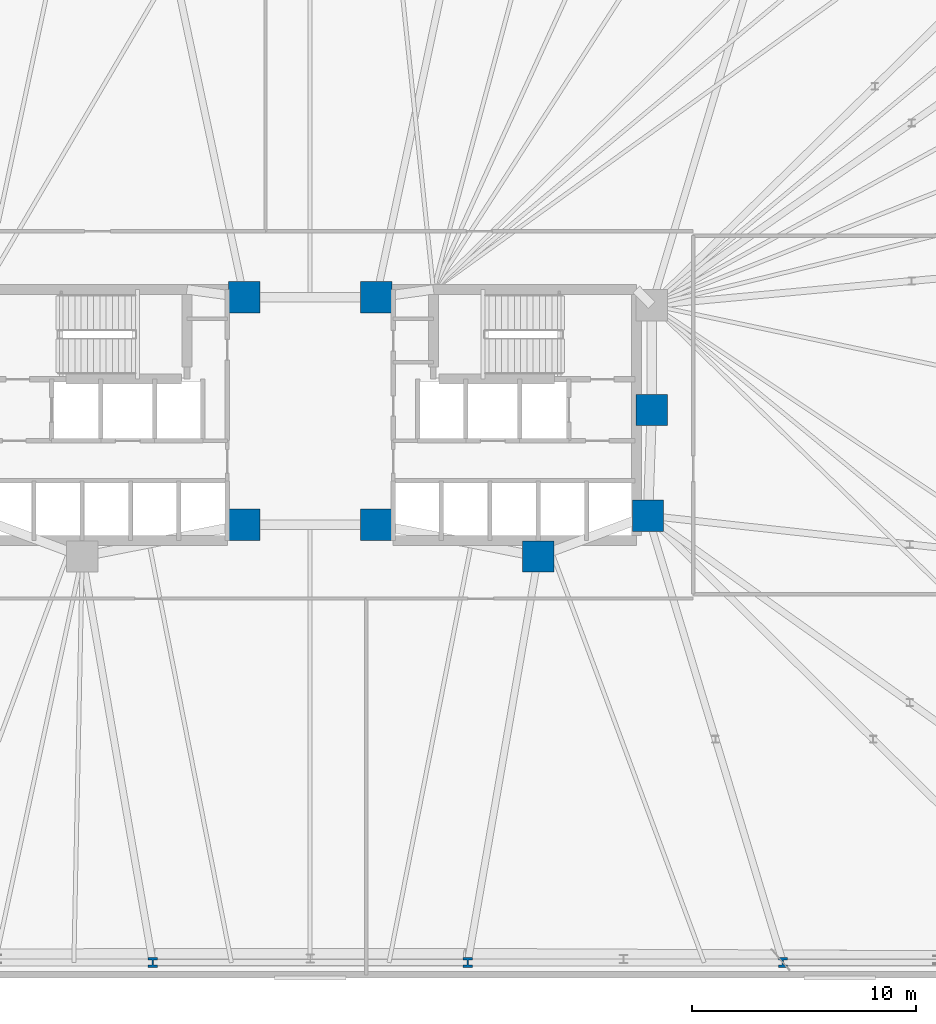
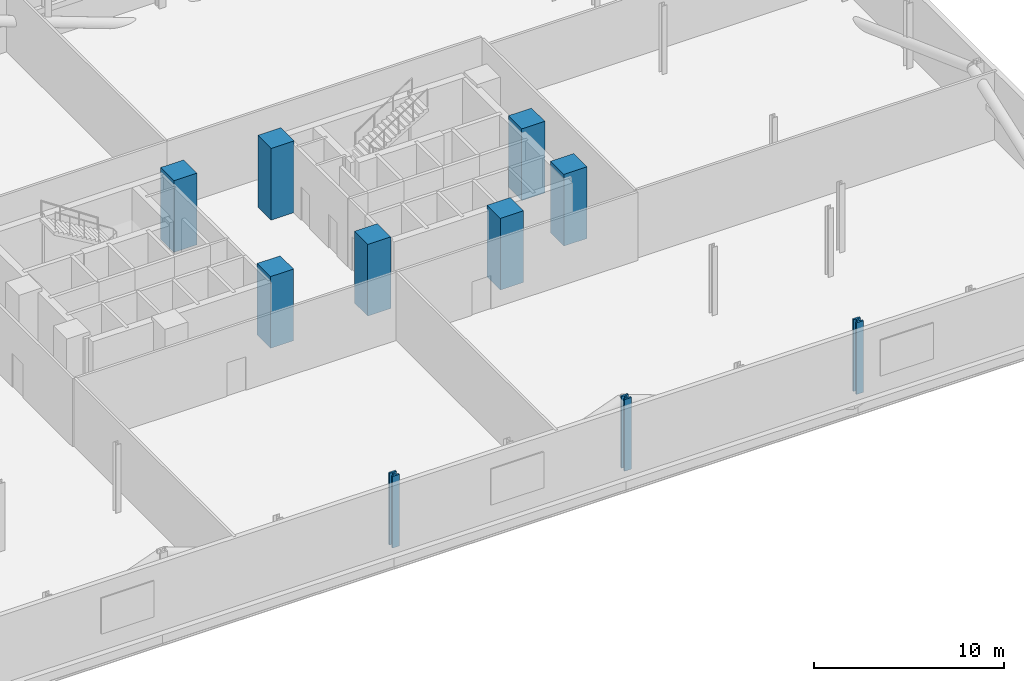
# One storey, part 3 of 17: 10 columns.
"""IFC4 building model written with IfcOpenShell, lengths in metres."""

from ifc_helpers import new_model, si_unit, direction, frame, origin, origin_2d, place, context, subcontext, project, spatial, rectangle, i_section, extrude, material, material_profile, profile_set, type_object, element, save


model = new_model("IFC4")

# Units and contexts
model_context = context("Model", 3, precision=1e-05, world=origin(), true_north=direction((0.0, 1.0)))
body_context = subcontext(model_context, "Body", "Model", "MODEL_VIEW")
ifc_project = project(units=[si_unit("LENGTHUNIT", "METRE"), si_unit("AREAUNIT", "SQUARE_METRE"), si_unit("VOLUMEUNIT", "CUBIC_METRE"), si_unit("PLANEANGLEUNIT", "RADIAN"), si_unit("MASSUNIT", "GRAM", prefix="KILO")], contexts=[model_context])

# Site, building, storey
site_placement = place(None, origin())
site = spatial("IfcSite", under=ifc_project, at=site_placement, CompositionType="ELEMENT")
building_placement = place(site_placement, origin())
building = spatial("IfcBuilding", under=site, at=building_placement, Name="Menara Jurai Vektor", CompositionType="ELEMENT")
storey_placement = place(building_placement, frame((0.0, 0.0, 9.60009765625)))
storey = spatial("IfcBuildingStorey", under=building, at=storey_placement, Name="L01", CompositionType="ELEMENT", Elevation=9.60009765625)

# Columns
ifc_material_1 = material(Name="Concrete C60/75", Category="concrete")
ifc_material_profile_1 = material_profile(ifc_material_1, rectangle(XDim=1.39990234375, YDim=1.39990234375, at=origin_2d()), Name="RC 1400x1400")
ifc_profile_set_1 = profile_set([ifc_material_profile_1], Name="Concrete C60/75")
column_type_1 = type_object("IfcColumnType", Name="STR-COL-RC1400", PredefinedType="COLUMN", material=ifc_profile_set_1)
for number, where, z_axis, x_axis, name in (
    (1, (-2.949951171875, -4.89990234375, 0.0), (0.0, 0.0, 1.0), (1.0, 0.0, 0.0), "Core Spine Column CW-SE L01"),
    (2, (-2.949951171875, 5.25, 0.0), (0.0, 0.0, 1.0), (1.0, 0.0, 0.0), "Core Spine Column CW-NE L01"),
    (3, (15.25, 0.219970703125, 0.0), (0.0, 0.0, 1.0), (1.0, 0.0, 0.0), "Core Spine Column CE-EM L01"),
    (4, (15.080078125, -4.5, 0.0), (0.0, 0.0, 1.0), (1.0, 0.0, 0.0), "Core Spine Column CE-SE L01"),
    (5, (10.179931640625, -6.320068359375, 0.0), (0.0, 0.0, 1.0), (1.0, 0.0, 0.0), "Core Spine Column CE-SM L01"),
    (6, (2.949951171875, -4.89990234375, 0.0), (0.0, 0.0, 1.0), (1.0, 0.0, 0.0), "Core Spine Column CE-SW L01"),
    (7, (2.949951171875, 5.25, 0.0), (0.0, 0.0, 1.0), (1.0, 0.0, 0.0), "Core Spine Column CE-NW L01"),
):
    element("IfcColumn", number, at=place(storey_placement, frame(where, z_axis=z_axis, x_axis=x_axis)), inside=storey, type_object=column_type_1, Name=name, PredefinedType="COLUMN", context=body_context, shape_type="SweptSolid", body=[
        extrude(rectangle(XDim=1.39990234375, YDim=1.39990234375, at=origin_2d()), origin(), (0.0, 0.0, 1.0), 4.599853515625),
    ])
ifc_material_2 = material(Name="Steel S460", Category="steel")
ifc_material_profile_2 = material_profile(ifc_material_2, i_section(OverallWidth=0.419921875, OverallDepth=0.430908203125, WebThickness=0.06494140625, FlangeThickness=0.10595703125, FilletRadius=0.014892578125, at=origin_2d()), Name="HD 400x900")
ifc_profile_set_2 = profile_set([ifc_material_profile_2], Name="Steel S460")
column_type_2 = type_object("IfcColumnType", Name="STR-EXO-BLK1", PredefinedType="COLUMN", material=ifc_profile_set_2)
for number, where, z_axis, x_axis, name in (
    (8, (-7.03564453125, -24.449951171875, 0.0), (0.0, 0.0, 1.0), (1.0, 0.0, 0.0), "Exoskeleton Column BLK1-S3 L01"),
    (9, (7.03564453125, -24.449951171875, 0.0), (0.0, 0.0, 1.0), (1.0, 0.0, 0.0), "Exoskeleton Column BLK1-S4 L01"),
    (10, (21.106689453125, -24.449951171875, 0.0), (0.0, 0.0, 1.0), (1.0, 0.0, 0.0), "Exoskeleton Column BLK1-S5 L01"),
):
    element("IfcColumn", number, at=place(storey_placement, frame(where, z_axis=z_axis, x_axis=x_axis)), inside=storey, type_object=column_type_2, Name=name, PredefinedType="COLUMN", context=body_context, shape_type="SweptSolid", body=[
        extrude(i_section(OverallWidth=0.419921875, OverallDepth=0.430908203125, WebThickness=0.06494140625, FlangeThickness=0.10595703125, FilletRadius=0.014892578125, at=origin_2d()), origin(), (0.0, 0.0, 1.0), 4.599853515625),
    ])

save(model, "model.ifc")
